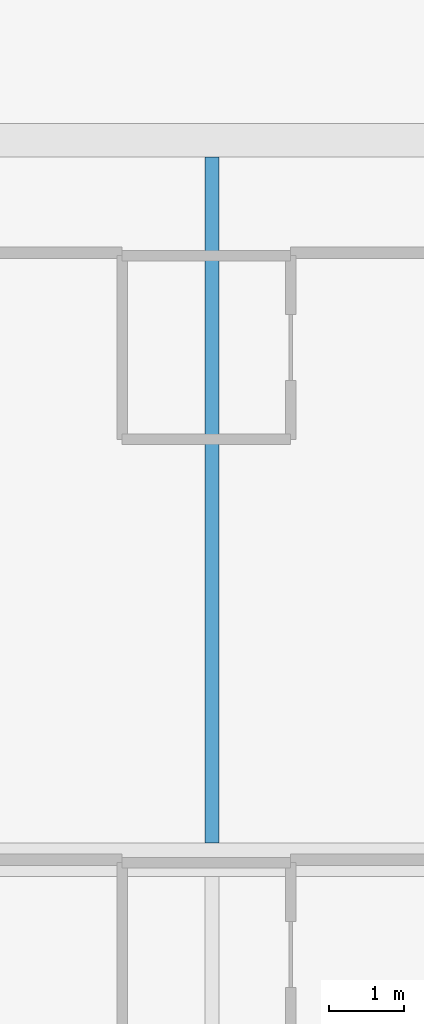
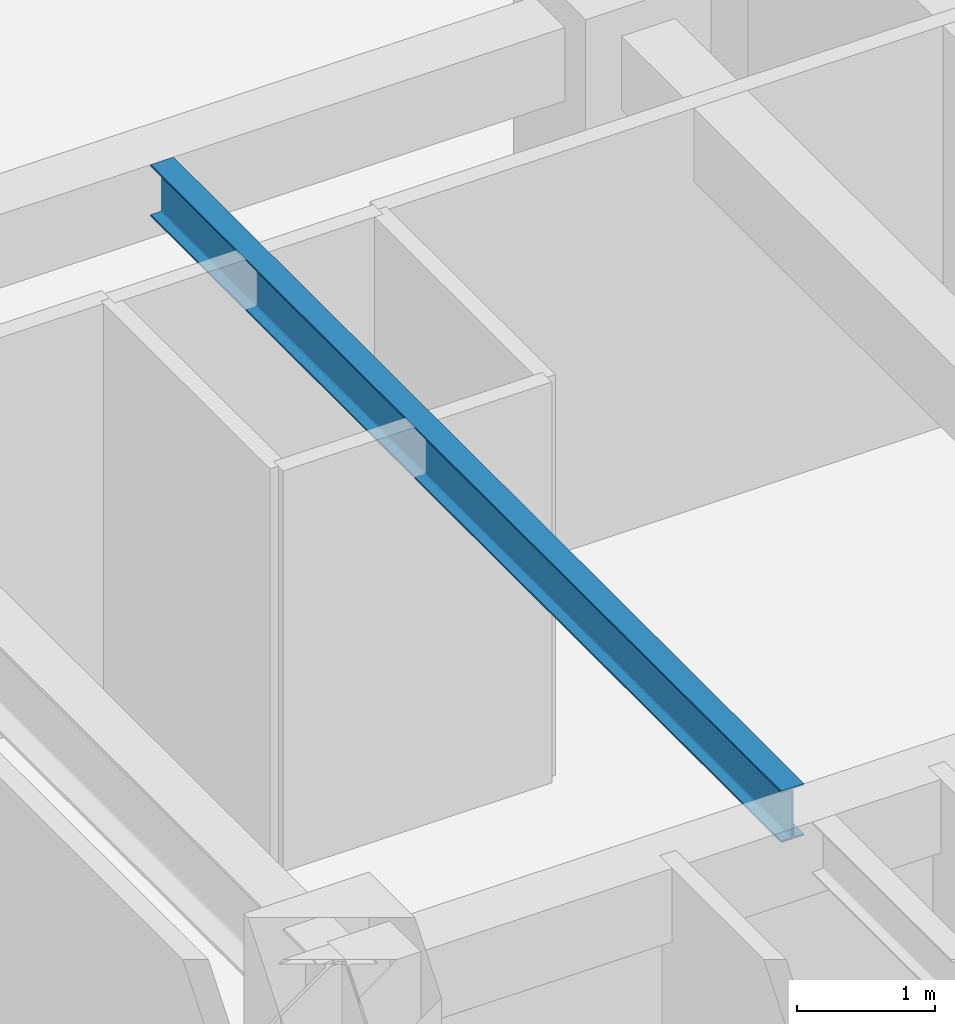
# One storey, part 2 of 11: 1 beam.
"""IFC4 building model written with IfcOpenShell, lengths in metres."""

from ifc_helpers import new_model, si_unit, direction, frame, origin, origin_2d, place, context, subcontext, project, spatial, i_section, extrude, material, material_profile, profile_set, type_object, element, save


model = new_model("IFC4")

# Units and contexts
model_context = context("Model", 3, precision=1e-05, world=origin(), true_north=direction((0.0, 1.0)))
body_context = subcontext(model_context, "Body", "Model", "MODEL_VIEW")
ifc_project = project(units=[si_unit("LENGTHUNIT", "METRE"), si_unit("AREAUNIT", "SQUARE_METRE"), si_unit("VOLUMEUNIT", "CUBIC_METRE"), si_unit("PLANEANGLEUNIT", "RADIAN"), si_unit("MASSUNIT", "GRAM", prefix="KILO")], contexts=[model_context])

# Site, building, storey
site_placement = place(None, origin())
site = spatial("IfcSite", under=ifc_project, at=site_placement, CompositionType="ELEMENT")
building_placement = place(site_placement, origin())
building = spatial("IfcBuilding", under=site, at=building_placement, Name="Kestravale Grand Hotel", CompositionType="ELEMENT")
storey_placement = place(building_placement, frame((0.0, 0.0, 157.39990234375)))
storey = spatial("IfcBuildingStorey", under=building, at=storey_placement, Name="L39", CompositionType="ELEMENT", Elevation=157.39990234375)

# Beam
ifc_material = material(Name="Steel ASTM A992 Grade 50", Category="steel")
ifc_material_profile = material_profile(ifc_material, i_section(OverallWidth=0.19091796875, OverallDepth=0.45703125, WebThickness=0.009033203125, FlangeThickness=0.014404296875, FilletRadius=0.015380859375, at=origin_2d()))
ifc_profile_set = profile_set([ifc_material_profile], Name="Steel ASTM A992 Grade 50")
beam_type = type_object("IfcBeamType", Name="B-FLR-JST18", PredefinedType="JOIST", material=ifc_profile_set)
beam_placement = place(storey_placement, frame((66.300048828125, 29.02490234375, 3.321533203125), z_axis=(0.0, 1.0, 0.0), x_axis=(-1.0, 0.0, 0.0)))
element("IfcBeam", 1, at=beam_placement, inside=storey, type_object=beam_type, Name="L39 floor joist 10-11/E-F #1", PredefinedType="JOIST", context=body_context, shape_type="SweptSolid", body=[
    extrude(i_section(OverallWidth=0.19091796875, OverallDepth=0.45703125, WebThickness=0.009033203125, FlangeThickness=0.014404296875, FilletRadius=0.015380859375, at=origin_2d()), origin(), (0.0, 0.0, 1.0), 9.150146484375),
])

save(model, "model.ifc")
